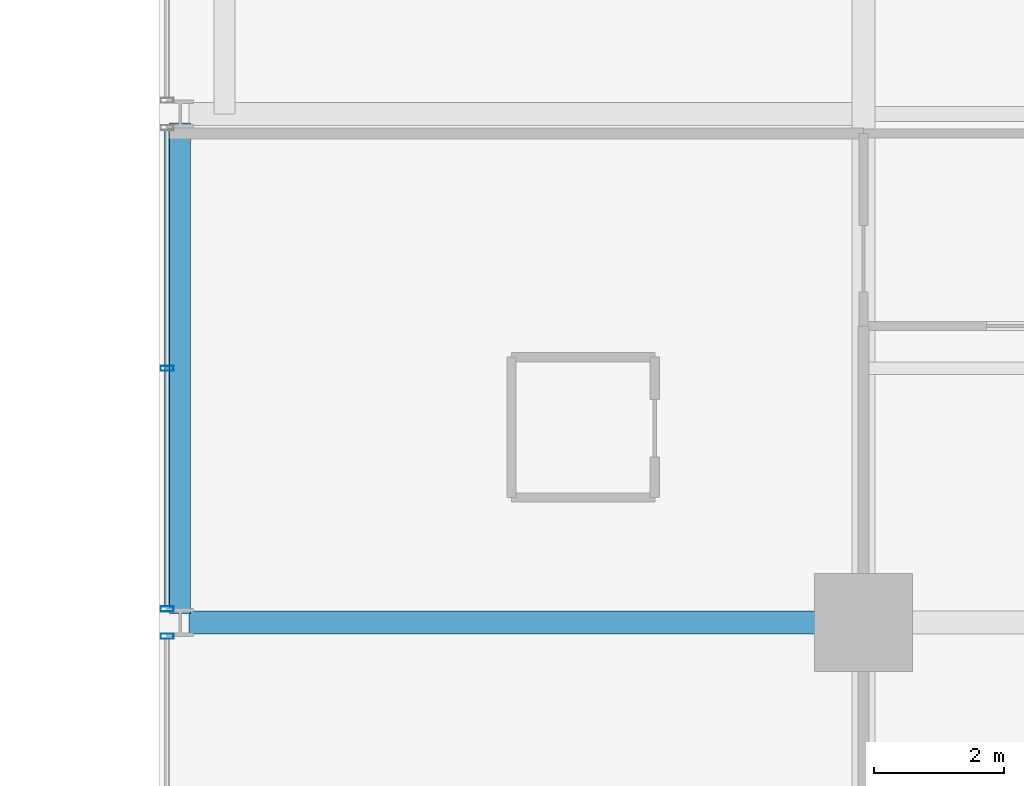
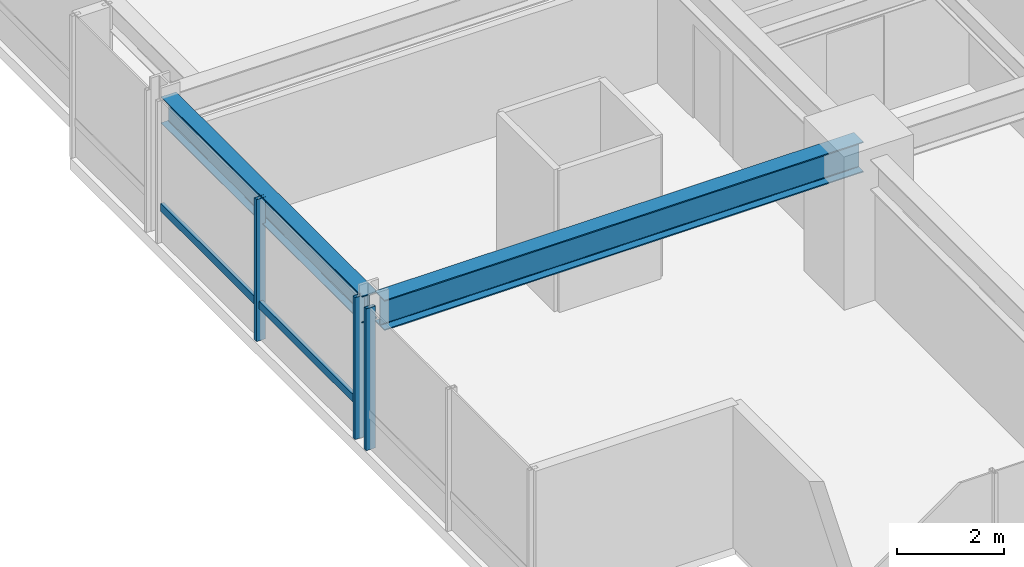
# One storey, part 4 of 35: 4 members, 2 beams, 2 elements without a shape of their own.
"""IFC4 building model written with IfcOpenShell, lengths in metres."""

from ifc_helpers import new_model, si_unit, direction, frame, origin, origin_2d, place, context, subcontext, project, spatial, hollow_rectangle, i_section, extrude, material, layer, layer_set, material_profile, profile_set, type_object, element, aggregate, save


model = new_model("IFC4")

# Units and contexts
model_context = context("Model", 3, precision=1e-05, world=origin(), true_north=direction((0.0, 1.0)))
body_context = subcontext(model_context, "Body", "Model", "MODEL_VIEW")
ifc_project = project(units=[si_unit("LENGTHUNIT", "METRE"), si_unit("AREAUNIT", "SQUARE_METRE"), si_unit("VOLUMEUNIT", "CUBIC_METRE"), si_unit("PLANEANGLEUNIT", "RADIAN"), si_unit("MASSUNIT", "GRAM", prefix="KILO")], contexts=[model_context])

# Site, building, storey
site_placement = place(None, origin())
site = spatial("IfcSite", under=ifc_project, at=site_placement, CompositionType="ELEMENT")
building_placement = place(site_placement, origin())
building = spatial("IfcBuilding", under=site, at=building_placement, Name="Drelvath Grand Hotel", CompositionType="ELEMENT")
storey_placement = place(building_placement, frame((0.0, 0.0, 130.300048828125)))
storey = spatial("IfcBuildingStorey", under=building, at=storey_placement, Name="L33", CompositionType="ELEMENT", Elevation=130.300048828125)

# Curtain wall, member
ifc_material_1 = material(Name="Champagne Bronze Anodised Aluminium Frame", Category="aluminium")
ifc_layer = layer(ifc_material_1, 0.199951171875)
ifc_layer_set = layer_set([ifc_layer], Name="Champagne Bronze Anodised Aluminium Frame")
curtain_wall_type = type_object("IfcCurtainWallType", Name="Stick Curtain Wall CW-03 Champagne Bronze Mid-Rise", PredefinedType="NOTDEFINED", material=ifc_layer_set)
curtain_wall_1_placement = place(storey_placement, origin())
curtain_wall_1 = element("IfcCurtainWall", 1, at=curtain_wall_1_placement, inside=storey, type_object=curtain_wall_type, Name="L33 CW-03 Curtain Wall CW03-L33-WS2", PredefinedType="NOTDEFINED")
ifc_material_profile_1 = material_profile(ifc_material_1, hollow_rectangle(XDim=0.074951171875, YDim=0.179931640625, WallThickness=0.0048828125, at=origin_2d()), Name="HSS180X75X5")
ifc_profile_set_1 = profile_set([ifc_material_profile_1], Name="Champagne Bronze Anodised Aluminium Frame")
member_type_1 = type_object("IfcMemberType", Name="Curtain Wall Horizontal Transom CW-03 HSS180X75X5", PredefinedType="USERDEFINED", material=ifc_profile_set_1)
member_1_placement = place(storey_placement, frame((-26.8798828125, 11.04931640625, 0.81005859375), z_axis=(0.0, 1.0, 0.0), x_axis=(-1.0, 0.0, 0.0)))
member_1 = element("IfcMember", 2, at=member_1_placement, type_object=member_type_1, Name="CW03-L33-WS2 Sill Transom", ObjectType="TRANSOM", PredefinedType="USERDEFINED", context=body_context, shape_type="SweptSolid", body=[
    extrude(hollow_rectangle(XDim=0.074951171875, YDim=0.179931640625, WallThickness=0.0048828125, at=origin_2d()), origin(), (0.0, 0.0, 1.0), 7.30126953125),
])

curtain_wall_2_placement = place(storey_placement, origin())
curtain_wall_2 = element("IfcCurtainWall", 3, at=curtain_wall_2_placement, inside=storey, type_object=curtain_wall_type, Name="L33 CW-03 Curtain Wall CW03-L33-WS1", PredefinedType="NOTDEFINED")
ifc_material_profile_2 = material_profile(ifc_material_1, hollow_rectangle(XDim=0.080078125, YDim=0.199951171875, WallThickness=0.0048828125, at=origin_2d()), Name="HSS200X80X5")
ifc_profile_set_2 = profile_set([ifc_material_profile_2], Name="Champagne Bronze Anodised Aluminium Frame")
member_type_2 = type_object("IfcMemberType", Name="Curtain Wall Vertical Mullion CW-03 HSS200X80X5", PredefinedType="MULLION", material=ifc_profile_set_2)
member_2_placement = place(storey_placement, frame((-26.8798828125, 10.590576171875, 0.0), z_axis=(0.0, 0.0, 1.0), x_axis=(0.0, 1.0, 0.0)))
member_2 = element("IfcMember", 4, at=member_2_placement, type_object=member_type_2, Name="CW03-L33-WS1 Mullion 3", PredefinedType="MULLION", context=body_context, shape_type="SweptSolid", body=[
    extrude(hollow_rectangle(XDim=0.080078125, YDim=0.199951171875, WallThickness=0.0048828125, at=origin_2d()), origin(), (0.0, 0.0, 1.0), 3.239990234375),
])
aggregate(curtain_wall_2, [member_2])

# Member
member_3_placement = place(storey_placement, frame((-26.8798828125, 11.009521484375, 0.0), z_axis=(0.0, 0.0, 1.0), x_axis=(0.0, 1.0, 0.0)))
member_3 = element("IfcMember", 5, at=member_3_placement, type_object=member_type_2, Name="CW03-L33-WS2 Mullion 1", PredefinedType="MULLION", context=body_context, shape_type="SweptSolid", body=[
    extrude(hollow_rectangle(XDim=0.080078125, YDim=0.199951171875, WallThickness=0.0048828125, at=origin_2d()), origin(), (0.0, 0.0, 1.0), 3.239990234375),
])

member_4_placement = place(storey_placement, frame((-26.8798828125, 14.699951171875, 0.0), z_axis=(0.0, 0.0, 1.0), x_axis=(0.0, 1.0, 0.0)))
member_4 = element("IfcMember", 6, at=member_4_placement, type_object=member_type_2, Name="CW03-L33-WS2 Mullion 2", PredefinedType="MULLION", context=body_context, shape_type="SweptSolid", body=[
    extrude(hollow_rectangle(XDim=0.080078125, YDim=0.199951171875, WallThickness=0.0048828125, at=origin_2d()), origin(), (0.0, 0.0, 1.0), 3.239990234375),
])

aggregate(curtain_wall_1, [member_3, member_4, member_1])

# Beams
ifc_material_2 = material(Name="Steel ASTM A992 Gr 50", Category="steel")
ifc_material_profile_3 = material_profile(ifc_material_2, i_section(OverallWidth=0.323974609375, OverallDepth=0.611083984375, WebThickness=0.0126953125, FlangeThickness=0.01904296875, FilletRadius=0.02197265625, at=origin_2d()), Name="W24X104")
ifc_profile_set_3 = profile_set([ifc_material_profile_3], Name="Steel ASTM A992 Gr 50")
beam_type_1 = type_object("IfcBeamType", Name="Perimeter Spandrel Beam W24X104", PredefinedType="SPANDREL", material=ifc_profile_set_3)
beam_1_placement = place(storey_placement, frame((-26.679931640625, 10.93994140625, 2.934326171875), z_axis=(0.0, 1.0, 0.0), x_axis=(-1.0, 0.0, 0.0)))
element("IfcBeam", 7, at=beam_1_placement, inside=storey, type_object=beam_type_1, Name="L33 Spandrel West S", PredefinedType="SPANDREL", context=body_context, shape_type="SweptSolid", body=[
    extrude(i_section(OverallWidth=0.323974609375, OverallDepth=0.611083984375, WebThickness=0.0126953125, FlangeThickness=0.01904296875, FilletRadius=0.02197265625, at=origin_2d()), origin(), (0.0, 0.0, 1.0), 7.52001953125),
])
ifc_material_profile_4 = material_profile(ifc_material_2, i_section(OverallWidth=0.354736328125, OverallDepth=0.695556640625, WebThickness=0.015380859375, FlangeThickness=0.025146484375, FilletRadius=0.02392578125, at=origin_2d()), Name="W27X146")
ifc_profile_set_4 = profile_set([ifc_material_profile_4], Name="Steel ASTM A992 Gr 50")
beam_type_2 = type_object("IfcBeamType", Name="Primary Floor Girder W27X146", PredefinedType="BEAM", material=ifc_profile_set_4)
beam_2_placement = place(storey_placement, frame((-26.5400390625, 10.800048828125, 2.892333984375), z_axis=(1.0, 0.0, 0.0), x_axis=(0.0, 1.0, 0.0)))
element("IfcBeam", 8, at=beam_2_placement, inside=storey, type_object=beam_type_2, Name="L33 West Grid Girder C", PredefinedType="BEAM", context=body_context, shape_type="SweptSolid", body=[
    extrude(i_section(OverallWidth=0.354736328125, OverallDepth=0.695556640625, WebThickness=0.015380859375, FlangeThickness=0.025146484375, FilletRadius=0.02392578125, at=origin_2d()), origin(), (0.0, 0.0, 1.0), 10.340087890625),
])

save(model, "model.ifc")
